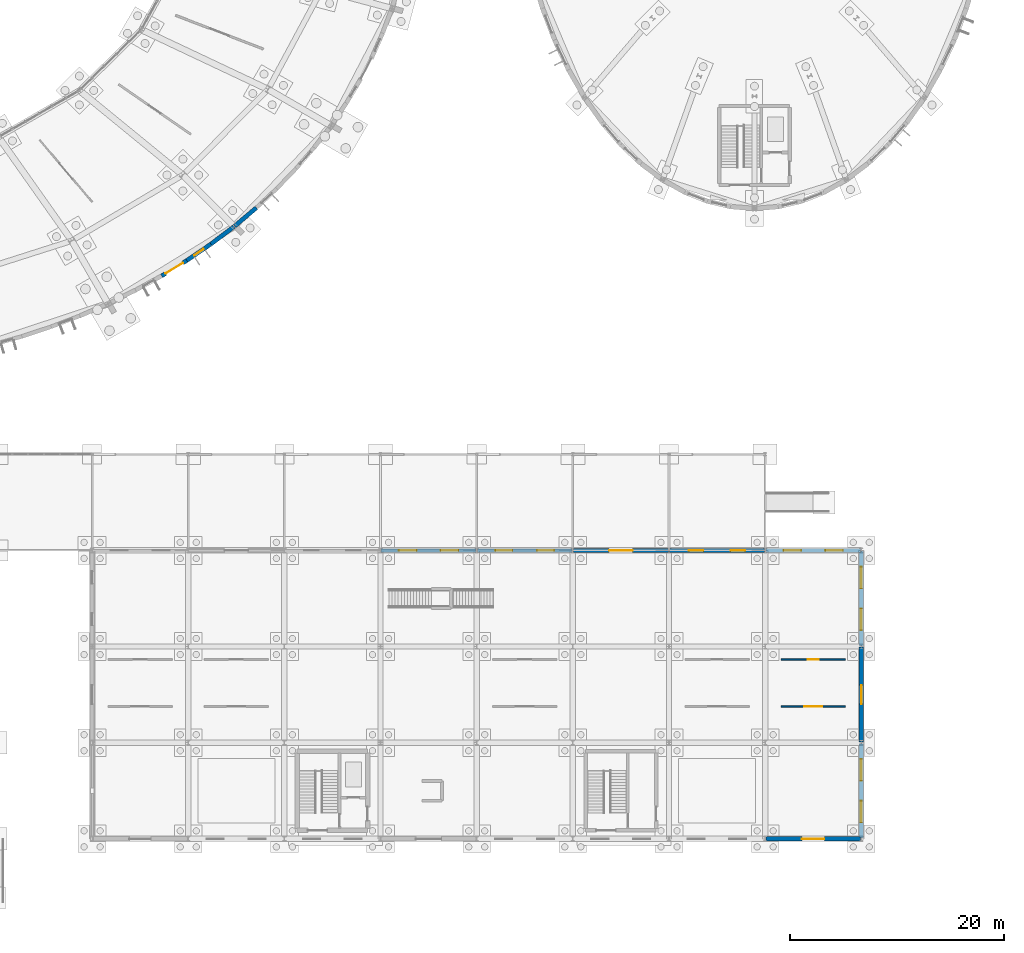
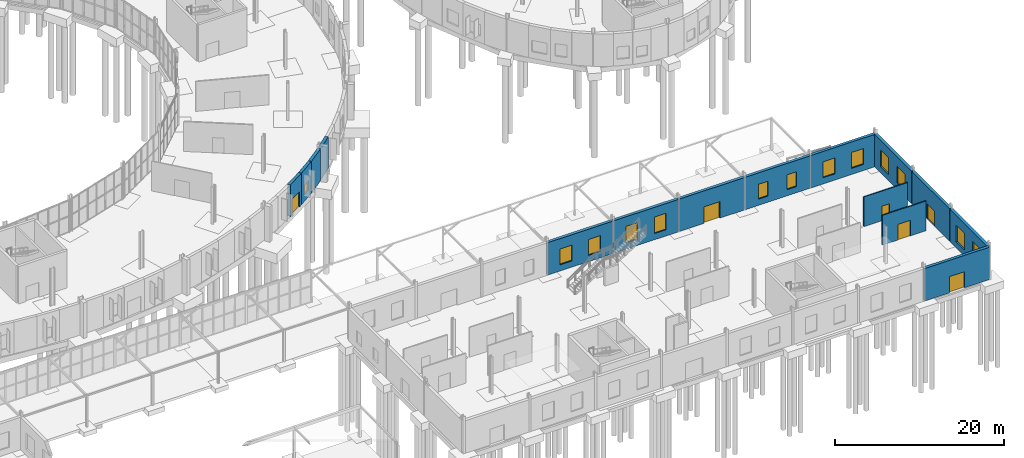
# One storey, part 92 of 118: 15 walls, 13 windows, 6 doors, 19 openings.
"""IFC4 building model written with IfcOpenShell, lengths in metres."""

from ifc_helpers import new_model, si_unit, direction, frame, frame_2d, origin, place, context, subcontext, project, spatial, rectangle, extrude, material, layer, layer_set, type_object, element, fill, save


model = new_model("IFC4")

# Units and contexts
model_context = context("Model", 3, precision=1e-05, world=origin(), true_north=direction((0.0, 1.0)))
body_context = subcontext(model_context, "Body", "Model", "MODEL_VIEW")
ifc_project = project(units=[si_unit("LENGTHUNIT", "METRE"), si_unit("AREAUNIT", "SQUARE_METRE"), si_unit("VOLUMEUNIT", "CUBIC_METRE"), si_unit("PLANEANGLEUNIT", "RADIAN"), si_unit("MASSUNIT", "GRAM", prefix="KILO")], contexts=[model_context])

# Site, building, storey
site_placement = place(None, origin())
site = spatial("IfcSite", under=ifc_project, at=site_placement, CompositionType="ELEMENT")
building_placement = place(site_placement, origin())
building = spatial("IfcBuilding", under=site, at=building_placement, Name="Kildeholm Park Wholesale Market", CompositionType="ELEMENT")
storey_placement = place(building_placement, origin())
storey = spatial("IfcBuildingStorey", under=building, at=storey_placement, Name="L00", CompositionType="ELEMENT", Elevation=0.0)

# Walls
ifc_material_1 = material(Name="Bornholm granite stone plinth and Concrete C35/45 wall", Category="masonry")
ifc_layer_1 = layer(ifc_material_1, 0.39990234375)
ifc_layer_set_1 = layer_set([ifc_layer_1], Name="Bornholm granite stone plinth and Concrete C35/45 wall")
wall_type_1 = type_object("IfcWallType", Name="Exterior wall W-EX2 400 mm", PredefinedType="SOLIDWALL", material=ifc_layer_set_1)
wall_1_placement = place(storey_placement, frame((137.12109375, 55.673095703125, 0.0), z_axis=(0.0, 0.0, 1.0), x_axis=(0.797585068324, 0.603206481054, 0.0)))
element("IfcWall", 1, at=wall_1_placement, inside=storey, type_object=wall_type_1, Name="Produce ring outer wall 21.5 WL-0175", PredefinedType="SOLIDWALL", context=body_context, shape_type="SweptSolid", body=[
    extrude(rectangle(XDim=2.700439453125, YDim=0.39990234375, at=frame_2d((1.35009765625, 0.0))), origin(), (0.0, 0.0, 1.0), 4.60009765625),
])
wall_2_placement = place(storey_placement, frame((139.3369140625, 57.35205078125, 0.0), z_axis=(0.0, 0.0, 1.0), x_axis=(0.76486611794, 0.644189274691, 0.0)))
element("IfcWall", 2, at=wall_2_placement, inside=storey, type_object=wall_type_1, Name="Produce ring outer wall 22.1 WL-0180", PredefinedType="SOLIDWALL", context=body_context, shape_type="SweptSolid", body=[
    extrude(rectangle(XDim=2.66845703125, YDim=0.39990234375, at=frame_2d((1.334228515625, 0.0))), origin(), (0.0, 0.0, 1.0), 4.60009765625),
])

# Wall, opening, door
wall_3_placement = place(storey_placement, frame((189.06005859375, 0.0, 0.0), z_axis=(0.0, 0.0, 1.0), x_axis=(1.0, 0.0, 0.0)))
wall_3 = element("IfcWall", 3, at=wall_3_placement, inside=storey, type_object=wall_type_1, Name="Exterior wall V5E-L00-S08.1 WL-0578", PredefinedType="SOLIDWALL", context=body_context, shape_type="SweptSolid", body=[
    extrude(rectangle(XDim=8.8798828125, YDim=0.39990234375, at=frame_2d((4.43994140625, 0.0))), origin(), (0.0, 0.0, 1.0), 4.699951171875),
])
opening_1_placement = place(wall_3_placement, frame((3.389892578125, 0.0, 0.0)))
opening_1 = element("IfcOpeningElement", 4, at=opening_1_placement, cuts=wall_3, Name="Opening D-EX10", PredefinedType="OPENING", context=body_context, shape_type="SweptSolid", body=[
    extrude(rectangle(XDim=2.10009765625, YDim=2.35009765625, at=frame_2d((1.050048828125, 1.175048828125))), frame((0.0, 0.2099609375, 0.0), z_axis=(0.0, -1.0, 0.0), x_axis=(1.0, 0.0, 0.0)), (0.0, 0.0, 1.0), 0.419921875),
])
ifc_material_2 = material(Name="Anodised aluminium park colonnade door", Category="aluminium")
door_type_1 = type_object("IfcDoorType", Name="Exterior door D-EX10 2100x2350", OperationType="NOTDEFINED", PredefinedType="DOOR", material=ifc_material_2)
door_1_placement = place(opening_1_placement, frame((2.10009765625, 0.0, 0.0), z_axis=(0.0, 0.0, 1.0), x_axis=(-1.0, 0.0, 0.0)))
door_1 = element("IfcDoor", 5, at=door_1_placement, inside=storey, type_object=door_type_1, Name="Door V5E-L00-S08.1 DR-0063 WL-0578", OperationType="DOUBLE_DOOR_SINGLE_SWING", OverallHeight=2.35009765625, OverallWidth=2.10009765625, PredefinedType="DOOR", context=body_context, shape_type="SweptSolid", body=[
    extrude(rectangle(XDim=2.10009765625, YDim=2.35009765625, at=frame_2d((1.050048828125, 1.175048828125))), frame((0.0, 0.02490234375, 0.0), z_axis=(0.0, -1.0, 0.0), x_axis=(1.0, 0.0, 0.0)), (0.0, 0.0, 1.0), 0.050048828125),
])
fill(opening_1, door_1)

# Wall, openings, windows
wall_4_placement = place(storey_placement, frame((153.06005859375, 27.0, 0.0), z_axis=(0.0, 0.0, 1.0), x_axis=(1.0, 0.0, 0.0)))
wall_4 = element("IfcWall", 6, at=wall_4_placement, inside=storey, type_object=wall_type_1, Name="Exterior wall V5E-L00-N.4 WL-0582", PredefinedType="SOLIDWALL", context=body_context, shape_type="SweptSolid", body=[
    extrude(rectangle(XDim=8.8798828125, YDim=0.39990234375, at=frame_2d((4.43994140625, 0.0))), origin(), (0.0, 0.0, 1.0), 4.699951171875),
])
opening_2_placement = place(wall_4_placement, frame((1.660888671875, 0.0, 0.89990234375)))
opening_2 = element("IfcOpeningElement", 7, at=opening_2_placement, cuts=wall_4, Name="Opening WN-34", PredefinedType="OPENING", context=body_context, shape_type="SweptSolid", body=[
    extrude(rectangle(XDim=1.64990234375, YDim=2.300048828125, at=frame_2d((0.824951171875, 1.14990234375))), frame((0.0, 0.2099609375, 0.0), z_axis=(0.0, -1.0, 0.0), x_axis=(1.0, 0.0, 0.0)), (0.0, 0.0, 1.0), 0.419921875),
])
opening_3_placement = place(wall_4_placement, frame((5.569091796875, 0.0, 0.89990234375)))
opening_3 = element("IfcOpeningElement", 8, at=opening_3_placement, cuts=wall_4, Name="Opening WN-34", PredefinedType="OPENING", context=body_context, shape_type="SweptSolid", body=[
    extrude(rectangle(XDim=1.64990234375, YDim=2.300048828125, at=frame_2d((0.824951171875, 1.14990234375))), frame((0.0, 0.2099609375, 0.0), z_axis=(0.0, -1.0, 0.0), x_axis=(1.0, 0.0, 0.0)), (0.0, 0.0, 1.0), 0.419921875),
])
ifc_material_3 = material(Name="Thermally broken aluminium and triple-glazed low-E glass", Category="aluminium")
window_type_1 = type_object("IfcWindowType", Name="Window WN-34 1650x2300", PartitioningType="DOUBLE_PANEL_VERTICAL", PredefinedType="WINDOW", material=ifc_material_3)
window_1_placement = place(opening_2_placement, origin())
window_1 = element("IfcWindow", 9, at=window_1_placement, inside=storey, type_object=window_type_1, Name="Window V5E-L00-N.4.1 WIN-0366", OverallHeight=2.300048828125, OverallWidth=1.64990234375, PartitioningType="SINGLE_PANEL", PredefinedType="WINDOW", context=body_context, shape_type="SweptSolid", body=[
    extrude(rectangle(XDim=1.64990234375, YDim=2.300048828125, at=frame_2d((0.824951171875, 1.14990234375))), frame((0.0, 0.030029296875, 0.0), z_axis=(0.0, -1.0, 0.0), x_axis=(1.0, 0.0, 0.0)), (0.0, 0.0, 1.0), 0.06005859375),
])
fill(opening_2, window_1)
window_2_placement = place(opening_3_placement, origin())
window_2 = element("IfcWindow", 10, at=window_2_placement, inside=storey, type_object=window_type_1, Name="Window V5E-L00-N.4.2 WIN-0367", OverallHeight=2.300048828125, OverallWidth=1.64990234375, PartitioningType="SINGLE_PANEL", PredefinedType="WINDOW", context=body_context, shape_type="SweptSolid", body=[
    extrude(rectangle(XDim=1.64990234375, YDim=2.300048828125, at=frame_2d((0.824951171875, 1.14990234375))), frame((0.0, 0.030029296875, 0.0), z_axis=(0.0, -1.0, 0.0), x_axis=(1.0, 0.0, 0.0)), (0.0, 0.0, 1.0), 0.06005859375),
])
fill(opening_3, window_2)

wall_5_placement = place(storey_placement, frame((162.06005859375, 27.0, 0.0), z_axis=(0.0, 0.0, 1.0), x_axis=(1.0, 0.0, 0.0)))
wall_5 = element("IfcWall", 11, at=wall_5_placement, inside=storey, type_object=wall_type_1, Name="Exterior wall V5E-L00-N.5 WL-0583", PredefinedType="SOLIDWALL", context=body_context, shape_type="SweptSolid", body=[
    extrude(rectangle(XDim=8.8798828125, YDim=0.39990234375, at=frame_2d((4.43994140625, 0.0))), origin(), (0.0, 0.0, 1.0), 4.699951171875),
])
opening_4_placement = place(wall_5_placement, frame((1.68603515625, 0.0, 0.89990234375)))
opening_4 = element("IfcOpeningElement", 12, at=opening_4_placement, cuts=wall_5, Name="Opening WN-15", PredefinedType="OPENING", context=body_context, shape_type="SweptSolid", body=[
    extrude(rectangle(XDim=1.60009765625, YDim=2.39990234375, at=frame_2d((0.800048828125, 1.199951171875))), frame((0.0, 0.2099609375, 0.0), z_axis=(0.0, -1.0, 0.0), x_axis=(1.0, 0.0, 0.0)), (0.0, 0.0, 1.0), 0.419921875),
])
opening_5_placement = place(wall_5_placement, frame((5.593994140625, 0.0, 0.89990234375)))
opening_5 = element("IfcOpeningElement", 13, at=opening_5_placement, cuts=wall_5, Name="Opening WN-15", PredefinedType="OPENING", context=body_context, shape_type="SweptSolid", body=[
    extrude(rectangle(XDim=1.60009765625, YDim=2.39990234375, at=frame_2d((0.800048828125, 1.199951171875))), frame((0.0, 0.2099609375, 0.0), z_axis=(0.0, -1.0, 0.0), x_axis=(1.0, 0.0, 0.0)), (0.0, 0.0, 1.0), 0.419921875),
])
window_type_2 = type_object("IfcWindowType", Name="Window WN-15 1600x2400", PartitioningType="DOUBLE_PANEL_VERTICAL", PredefinedType="WINDOW", material=ifc_material_3)
window_3_placement = place(opening_4_placement, origin())
window_3 = element("IfcWindow", 14, at=window_3_placement, inside=storey, type_object=window_type_2, Name="Window V5E-L00-N.5.1 WIN-0368", OverallHeight=2.39990234375, OverallWidth=1.60009765625, PartitioningType="SINGLE_PANEL", PredefinedType="WINDOW", context=body_context, shape_type="SweptSolid", body=[
    extrude(rectangle(XDim=1.60009765625, YDim=2.39990234375, at=frame_2d((0.800048828125, 1.199951171875))), frame((0.0, 0.030029296875, 0.0), z_axis=(0.0, -1.0, 0.0), x_axis=(1.0, 0.0, 0.0)), (0.0, 0.0, 1.0), 0.06005859375),
])
fill(opening_4, window_3)
window_4_placement = place(opening_5_placement, origin())
window_4 = element("IfcWindow", 15, at=window_4_placement, inside=storey, type_object=window_type_2, Name="Window V5E-L00-N.5.2 WIN-0369", OverallHeight=2.39990234375, OverallWidth=1.60009765625, PartitioningType="SINGLE_PANEL", PredefinedType="WINDOW", context=body_context, shape_type="SweptSolid", body=[
    extrude(rectangle(XDim=1.60009765625, YDim=2.39990234375, at=frame_2d((0.800048828125, 1.199951171875))), frame((0.0, 0.030029296875, 0.0), z_axis=(0.0, -1.0, 0.0), x_axis=(1.0, 0.0, 0.0)), (0.0, 0.0, 1.0), 0.06005859375),
])
fill(opening_5, window_4)

# Wall, opening, door
wall_6_placement = place(storey_placement, frame((171.06005859375, 27.0, 0.0), z_axis=(0.0, 0.0, 1.0), x_axis=(1.0, 0.0, 0.0)))
wall_6 = element("IfcWall", 16, at=wall_6_placement, inside=storey, type_object=wall_type_1, Name="Exterior wall V5E-L00-N.6 WL-0584", PredefinedType="SOLIDWALL", context=body_context, shape_type="SweptSolid", body=[
    extrude(rectangle(XDim=8.8798828125, YDim=0.39990234375, at=frame_2d((4.43994140625, 0.0))), origin(), (0.0, 0.0, 1.0), 4.699951171875),
])
opening_6_placement = place(wall_6_placement, frame((3.340087890625, 0.0, 0.0)))
opening_6 = element("IfcOpeningElement", 17, at=opening_6_placement, cuts=wall_6, Name="Opening D-EX03", PredefinedType="OPENING", context=body_context, shape_type="SweptSolid", body=[
    extrude(rectangle(XDim=2.199951171875, YDim=2.39990234375, at=frame_2d((1.10009765625, 1.199951171875))), frame((0.0, 0.2099609375, 0.0), z_axis=(0.0, -1.0, 0.0), x_axis=(1.0, 0.0, 0.0)), (0.0, 0.0, 1.0), 0.419921875),
])
ifc_material_4 = material(Name="Anodised aluminium and safety glass", Category="aluminium")
door_type_2 = type_object("IfcDoorType", Name="Exterior door D-EX03 2200x2400", OperationType="NOTDEFINED", PredefinedType="DOOR", material=ifc_material_4)
door_2_placement = place(opening_6_placement, origin())
door_2 = element("IfcDoor", 18, at=door_2_placement, inside=storey, type_object=door_type_2, Name="Door V5E-L00-N.6 DR-0065 WL-0584", OperationType="DOUBLE_DOOR_SINGLE_SWING", OverallHeight=2.39990234375, OverallWidth=2.199951171875, PredefinedType="DOOR", context=body_context, shape_type="SweptSolid", body=[
    extrude(rectangle(XDim=2.199951171875, YDim=2.39990234375, at=frame_2d((1.10009765625, 1.199951171875))), frame((0.0, 0.02490234375, 0.0), z_axis=(0.0, -1.0, 0.0), x_axis=(1.0, 0.0, 0.0)), (0.0, 0.0, 1.0), 0.050048828125),
])
fill(opening_6, door_2)

# Wall, openings, windows
wall_7_placement = place(storey_placement, frame((180.06005859375, 27.0, 0.0), z_axis=(0.0, 0.0, 1.0), x_axis=(1.0, 0.0, 0.0)))
wall_7 = element("IfcWall", 19, at=wall_7_placement, inside=storey, type_object=wall_type_1, Name="Exterior wall V5E-L00-N.7 WL-0585", PredefinedType="SOLIDWALL", context=body_context, shape_type="SweptSolid", body=[
    extrude(rectangle(XDim=8.8798828125, YDim=0.39990234375, at=frame_2d((4.43994140625, 0.0))), origin(), (0.0, 0.0, 1.0), 4.699951171875),
])
opening_7_placement = place(wall_7_placement, frame((1.81103515625, 0.0, 0.89990234375)))
opening_7 = element("IfcOpeningElement", 20, at=opening_7_placement, cuts=wall_7, Name="Opening WN-33", PredefinedType="OPENING", context=body_context, shape_type="SweptSolid", body=[
    extrude(rectangle(XDim=1.35009765625, YDim=2.14990234375, at=frame_2d((0.675048828125, 1.074951171875))), frame((0.0, 0.2099609375, 0.0), z_axis=(0.0, -1.0, 0.0), x_axis=(1.0, 0.0, 0.0)), (0.0, 0.0, 1.0), 0.419921875),
])
opening_8_placement = place(wall_7_placement, frame((5.718994140625, 0.0, 0.89990234375)))
opening_8 = element("IfcOpeningElement", 21, at=opening_8_placement, cuts=wall_7, Name="Opening WN-33", PredefinedType="OPENING", context=body_context, shape_type="SweptSolid", body=[
    extrude(rectangle(XDim=1.35009765625, YDim=2.14990234375, at=frame_2d((0.675048828125, 1.074951171875))), frame((0.0, 0.2099609375, 0.0), z_axis=(0.0, -1.0, 0.0), x_axis=(1.0, 0.0, 0.0)), (0.0, 0.0, 1.0), 0.419921875),
])
window_type_3 = type_object("IfcWindowType", Name="Window WN-33 1350x2150", PartitioningType="DOUBLE_PANEL_VERTICAL", PredefinedType="WINDOW", material=ifc_material_3)
window_5_placement = place(opening_7_placement, origin())
window_5 = element("IfcWindow", 22, at=window_5_placement, inside=storey, type_object=window_type_3, Name="Window V5E-L00-N.7.1 WIN-0370", OverallHeight=2.14990234375, OverallWidth=1.35009765625, PartitioningType="SINGLE_PANEL", PredefinedType="WINDOW", context=body_context, shape_type="SweptSolid", body=[
    extrude(rectangle(XDim=1.35009765625, YDim=2.14990234375, at=frame_2d((0.675048828125, 1.074951171875))), frame((0.0, 0.030029296875, 0.0), z_axis=(0.0, -1.0, 0.0), x_axis=(1.0, 0.0, 0.0)), (0.0, 0.0, 1.0), 0.06005859375),
])
fill(opening_7, window_5)
window_6_placement = place(opening_8_placement, origin())
window_6 = element("IfcWindow", 23, at=window_6_placement, inside=storey, type_object=window_type_3, Name="Window V5E-L00-N.7.2 WIN-0371", OverallHeight=2.14990234375, OverallWidth=1.35009765625, PartitioningType="SINGLE_PANEL", PredefinedType="WINDOW", context=body_context, shape_type="SweptSolid", body=[
    extrude(rectangle(XDim=1.35009765625, YDim=2.14990234375, at=frame_2d((0.675048828125, 1.074951171875))), frame((0.0, 0.030029296875, 0.0), z_axis=(0.0, -1.0, 0.0), x_axis=(1.0, 0.0, 0.0)), (0.0, 0.0, 1.0), 0.06005859375),
])
fill(opening_8, window_6)

wall_8_placement = place(storey_placement, frame((189.06005859375, 27.0, 0.0), z_axis=(0.0, 0.0, 1.0), x_axis=(1.0, 0.0, 0.0)))
wall_8 = element("IfcWall", 24, at=wall_8_placement, inside=storey, type_object=wall_type_1, Name="Exterior wall V5E-L00-N.8 WL-0586", PredefinedType="SOLIDWALL", context=body_context, shape_type="SweptSolid", body=[
    extrude(rectangle(XDim=8.8798828125, YDim=0.39990234375, at=frame_2d((4.43994140625, 0.0))), origin(), (0.0, 0.0, 1.0), 4.699951171875),
])
opening_9_placement = place(wall_8_placement, frame((1.660888671875, 0.0, 0.89990234375)))
opening_9 = element("IfcOpeningElement", 25, at=opening_9_placement, cuts=wall_8, Name="Opening WN-34", PredefinedType="OPENING", context=body_context, shape_type="SweptSolid", body=[
    extrude(rectangle(XDim=1.64990234375, YDim=2.300048828125, at=frame_2d((0.824951171875, 1.14990234375))), frame((0.0, 0.2099609375, 0.0), z_axis=(0.0, -1.0, 0.0), x_axis=(1.0, 0.0, 0.0)), (0.0, 0.0, 1.0), 0.419921875),
])
opening_10_placement = place(wall_8_placement, frame((5.569091796875, 0.0, 0.89990234375)))
opening_10 = element("IfcOpeningElement", 26, at=opening_10_placement, cuts=wall_8, Name="Opening WN-34", PredefinedType="OPENING", context=body_context, shape_type="SweptSolid", body=[
    extrude(rectangle(XDim=1.64990234375, YDim=2.300048828125, at=frame_2d((0.824951171875, 1.14990234375))), frame((0.0, 0.2099609375, 0.0), z_axis=(0.0, -1.0, 0.0), x_axis=(1.0, 0.0, 0.0)), (0.0, 0.0, 1.0), 0.419921875),
])
window_7_placement = place(opening_9_placement, origin())
window_7 = element("IfcWindow", 27, at=window_7_placement, inside=storey, type_object=window_type_1, Name="Window V5E-L00-N.8.1 WIN-0372", OverallHeight=2.300048828125, OverallWidth=1.64990234375, PartitioningType="SINGLE_PANEL", PredefinedType="WINDOW", context=body_context, shape_type="SweptSolid", body=[
    extrude(rectangle(XDim=1.64990234375, YDim=2.300048828125, at=frame_2d((0.824951171875, 1.14990234375))), frame((0.0, 0.030029296875, 0.0), z_axis=(0.0, -1.0, 0.0), x_axis=(1.0, 0.0, 0.0)), (0.0, 0.0, 1.0), 0.06005859375),
])
fill(opening_9, window_7)
window_8_placement = place(opening_10_placement, origin())
window_8 = element("IfcWindow", 28, at=window_8_placement, inside=storey, type_object=window_type_1, Name="Window V5E-L00-N.8.2 WIN-0373", OverallHeight=2.300048828125, OverallWidth=1.64990234375, PartitioningType="SINGLE_PANEL", PredefinedType="WINDOW", context=body_context, shape_type="SweptSolid", body=[
    extrude(rectangle(XDim=1.64990234375, YDim=2.300048828125, at=frame_2d((0.824951171875, 1.14990234375))), frame((0.0, 0.030029296875, 0.0), z_axis=(0.0, -1.0, 0.0), x_axis=(1.0, 0.0, 0.0)), (0.0, 0.0, 1.0), 0.06005859375),
])
fill(opening_10, window_8)

wall_9_placement = place(storey_placement, frame((198.0, 0.06005859375, 0.0), z_axis=(0.0, 0.0, 1.0), x_axis=(0.0, 1.0, 0.0)))
wall_9 = element("IfcWall", 29, at=wall_9_placement, inside=storey, type_object=wall_type_1, Name="Exterior wall V5E-L00-E.1 WL-0590", PredefinedType="SOLIDWALL", context=body_context, shape_type="SweptSolid", body=[
    extrude(rectangle(XDim=8.8798828125, YDim=0.39990234375, at=frame_2d((4.43994140625, 0.0))), origin(), (0.0, 0.0, 1.0), 4.699951171875),
])
opening_11_placement = place(wall_9_placement, frame((1.486083984375, 0.0, 0.89990234375)))
opening_11 = element("IfcOpeningElement", 30, at=opening_11_placement, cuts=wall_9, Name="Opening WN-16", PredefinedType="OPENING", context=body_context, shape_type="SweptSolid", body=[
    extrude(rectangle(XDim=2.0, YDim=2.39990234375, at=frame_2d((1.0, 1.199951171875))), frame((0.0, 0.2099609375, 0.0), z_axis=(0.0, -1.0, 0.0), x_axis=(1.0, 0.0, 0.0)), (0.0, 0.0, 1.0), 0.419921875),
])
opening_12_placement = place(wall_9_placement, frame((5.39404296875, 0.0, 0.89990234375)))
opening_12 = element("IfcOpeningElement", 31, at=opening_12_placement, cuts=wall_9, Name="Opening WN-16", PredefinedType="OPENING", context=body_context, shape_type="SweptSolid", body=[
    extrude(rectangle(XDim=2.0, YDim=2.39990234375, at=frame_2d((1.0, 1.199951171875))), frame((0.0, 0.2099609375, 0.0), z_axis=(0.0, -1.0, 0.0), x_axis=(1.0, 0.0, 0.0)), (0.0, 0.0, 1.0), 0.419921875),
])
window_type_4 = type_object("IfcWindowType", Name="Window WN-16 2000x2400", PartitioningType="TRIPLE_PANEL_VERTICAL", PredefinedType="WINDOW", material=ifc_material_3)
window_9_placement = place(opening_11_placement, origin())
window_9 = element("IfcWindow", 32, at=window_9_placement, inside=storey, type_object=window_type_4, Name="Window V5E-L00-E.1.1 WIN-0376", OverallHeight=2.39990234375, OverallWidth=2.0, PartitioningType="SINGLE_PANEL", PredefinedType="WINDOW", context=body_context, shape_type="SweptSolid", body=[
    extrude(rectangle(XDim=2.0, YDim=2.39990234375, at=frame_2d((1.0, 1.199951171875))), frame((0.0, 0.030029296875, 0.0), z_axis=(0.0, -1.0, 0.0), x_axis=(1.0, 0.0, 0.0)), (0.0, 0.0, 1.0), 0.06005859375),
])
fill(opening_11, window_9)
window_10_placement = place(opening_12_placement, origin())
window_10 = element("IfcWindow", 33, at=window_10_placement, inside=storey, type_object=window_type_4, Name="Window V5E-L00-E.1.2 WIN-0377", OverallHeight=2.39990234375, OverallWidth=2.0, PartitioningType="SINGLE_PANEL", PredefinedType="WINDOW", context=body_context, shape_type="SweptSolid", body=[
    extrude(rectangle(XDim=2.0, YDim=2.39990234375, at=frame_2d((1.0, 1.199951171875))), frame((0.0, 0.030029296875, 0.0), z_axis=(0.0, -1.0, 0.0), x_axis=(1.0, 0.0, 0.0)), (0.0, 0.0, 1.0), 0.06005859375),
])
fill(opening_12, window_10)

# Wall, opening, door
wall_10_placement = place(storey_placement, frame((198.0, 9.06005859375, 0.0), z_axis=(0.0, 0.0, 1.0), x_axis=(0.0, 1.0, 0.0)))
wall_10 = element("IfcWall", 34, at=wall_10_placement, inside=storey, type_object=wall_type_1, Name="Exterior wall V5E-L00-E.2 WL-0591", PredefinedType="SOLIDWALL", context=body_context, shape_type="SweptSolid", body=[
    extrude(rectangle(XDim=8.8798828125, YDim=0.39990234375, at=frame_2d((4.43994140625, 0.0))), origin(), (0.0, 0.0, 1.0), 4.699951171875),
])
opening_13_placement = place(wall_10_placement, frame((3.5400390625, 0.0, 0.0)))
opening_13 = element("IfcOpeningElement", 35, at=opening_13_placement, cuts=wall_10, Name="Opening D-EX01", PredefinedType="OPENING", context=body_context, shape_type="SweptSolid", body=[
    extrude(rectangle(XDim=1.800048828125, YDim=2.199951171875, at=frame_2d((0.89990234375, 1.10009765625))), frame((0.0, 0.2099609375, 0.0), z_axis=(0.0, -1.0, 0.0), x_axis=(1.0, 0.0, 0.0)), (0.0, 0.0, 1.0), 0.419921875),
])
door_type_3 = type_object("IfcDoorType", Name="Exterior door D-EX01 1800x2200", OperationType="NOTDEFINED", PredefinedType="DOOR", material=ifc_material_4)
door_3_placement = place(opening_13_placement, frame((1.800048828125, 0.0, 0.0), z_axis=(0.0, 0.0, 1.0), x_axis=(-1.0, 0.0, 0.0)))
door_3 = element("IfcDoor", 36, at=door_3_placement, inside=storey, type_object=door_type_3, Name="Door V5E-L00-E.2 DR-0067 WL-0591", OperationType="DOUBLE_DOOR_SINGLE_SWING", OverallHeight=2.199951171875, OverallWidth=1.800048828125, PredefinedType="DOOR", context=body_context, shape_type="SweptSolid", body=[
    extrude(rectangle(XDim=1.800048828125, YDim=2.199951171875, at=frame_2d((0.89990234375, 1.10009765625))), frame((0.0, 0.02490234375, 0.0), z_axis=(0.0, -1.0, 0.0), x_axis=(1.0, 0.0, 0.0)), (0.0, 0.0, 1.0), 0.050048828125),
])
fill(opening_13, door_3)

# Wall, openings, windows
wall_11_placement = place(storey_placement, frame((198.0, 18.06005859375, 0.0), z_axis=(0.0, 0.0, 1.0), x_axis=(0.0, 1.0, 0.0)))
wall_11 = element("IfcWall", 37, at=wall_11_placement, inside=storey, type_object=wall_type_1, Name="Exterior wall V5E-L00-E.3 WL-0592", PredefinedType="SOLIDWALL", context=body_context, shape_type="SweptSolid", body=[
    extrude(rectangle(XDim=8.8798828125, YDim=0.39990234375, at=frame_2d((4.43994140625, 0.0))), origin(), (0.0, 0.0, 1.0), 4.699951171875),
])
opening_14_placement = place(wall_11_placement, frame((1.486083984375, 0.0, 0.89990234375)))
opening_14 = element("IfcOpeningElement", 38, at=opening_14_placement, cuts=wall_11, Name="Opening WN-16", PredefinedType="OPENING", context=body_context, shape_type="SweptSolid", body=[
    extrude(rectangle(XDim=2.0, YDim=2.39990234375, at=frame_2d((1.0, 1.199951171875))), frame((0.0, 0.2099609375, 0.0), z_axis=(0.0, -1.0, 0.0), x_axis=(1.0, 0.0, 0.0)), (0.0, 0.0, 1.0), 0.419921875),
])
opening_15_placement = place(wall_11_placement, frame((5.39404296875, 0.0, 0.89990234375)))
opening_15 = element("IfcOpeningElement", 39, at=opening_15_placement, cuts=wall_11, Name="Opening WN-16", PredefinedType="OPENING", context=body_context, shape_type="SweptSolid", body=[
    extrude(rectangle(XDim=2.0, YDim=2.39990234375, at=frame_2d((1.0, 1.199951171875))), frame((0.0, 0.2099609375, 0.0), z_axis=(0.0, -1.0, 0.0), x_axis=(1.0, 0.0, 0.0)), (0.0, 0.0, 1.0), 0.419921875),
])
window_11_placement = place(opening_14_placement, origin())
window_11 = element("IfcWindow", 40, at=window_11_placement, inside=storey, type_object=window_type_4, Name="Window V5E-L00-E.3.1 WIN-0378", OverallHeight=2.39990234375, OverallWidth=2.0, PartitioningType="SINGLE_PANEL", PredefinedType="WINDOW", context=body_context, shape_type="SweptSolid", body=[
    extrude(rectangle(XDim=2.0, YDim=2.39990234375, at=frame_2d((1.0, 1.199951171875))), frame((0.0, 0.030029296875, 0.0), z_axis=(0.0, -1.0, 0.0), x_axis=(1.0, 0.0, 0.0)), (0.0, 0.0, 1.0), 0.06005859375),
])
fill(opening_14, window_11)
window_12_placement = place(opening_15_placement, origin())
window_12 = element("IfcWindow", 41, at=window_12_placement, inside=storey, type_object=window_type_4, Name="Window V5E-L00-E.3.2 WIN-0379", OverallHeight=2.39990234375, OverallWidth=2.0, PartitioningType="SINGLE_PANEL", PredefinedType="WINDOW", context=body_context, shape_type="SweptSolid", body=[
    extrude(rectangle(XDim=2.0, YDim=2.39990234375, at=frame_2d((1.0, 1.199951171875))), frame((0.0, 0.030029296875, 0.0), z_axis=(0.0, -1.0, 0.0), x_axis=(1.0, 0.0, 0.0)), (0.0, 0.0, 1.0), 0.06005859375),
])
fill(opening_15, window_12)

# Wall, opening, door
ifc_material_5 = material(Name="Bornholm granite and ceramic-banded hall facade wall", Category="masonry")
ifc_layer_2 = layer(ifc_material_5, 0.389892578125)
ifc_layer_set_2 = layer_set([ifc_layer_2], Name="Bornholm granite and ceramic-banded hall facade wall")
wall_type_2 = type_object("IfcWallType", Name="Exterior wall W-EX5 390 mm", PredefinedType="SOLIDWALL", material=ifc_layer_set_2)
wall_12_placement = place(storey_placement, frame((132.510986328125, 52.694091796875, 0.0), z_axis=(0.0, 0.0, 1.0), x_axis=(0.852743581926, 0.522329765075, 0.0)))
wall_12 = element("IfcWall", 42, at=wall_12_placement, inside=storey, type_object=wall_type_2, Name="Produce ring outer wall 21.3 WL-0173", PredefinedType="SOLIDWALL", context=body_context, shape_type="SweptSolid", body=[
    extrude(rectangle(XDim=2.760498046875, YDim=0.389892578125, at=frame_2d((1.38037109375, 0.0))), origin(), (0.0, 0.0, 1.0), 4.60009765625),
])
opening_16_placement = place(wall_12_placement, frame((0.429931640625, 0.0, 0.0)))
opening_16 = element("IfcOpeningElement", 43, at=opening_16_placement, cuts=wall_12, Name="Opening D-EX09", PredefinedType="OPENING", context=body_context, shape_type="SweptSolid", body=[
    extrude(rectangle(XDim=1.89990234375, YDim=2.25, at=frame_2d((0.949951171875, 1.125))), frame((0.0, 0.204833984375, 0.0), z_axis=(0.0, -1.0, 0.0), x_axis=(1.0, 0.0, 0.0)), (0.0, 0.0, 1.0), 0.409912109375),
])
ifc_material_6 = material(Name="Anodised aluminium hall double entrance", Category="aluminium")
door_type_4 = type_object("IfcDoorType", Name="Exterior door D-EX09 1900x2250", OperationType="NOTDEFINED", PredefinedType="DOOR", material=ifc_material_6)
door_4_placement = place(opening_16_placement, frame((1.89990234375, 0.0, 0.0), z_axis=(0.0, 0.0, 1.0), x_axis=(-1.0, 0.0, 0.0)))
door_4 = element("IfcDoor", 44, at=door_4_placement, inside=storey, type_object=door_type_4, Name="Produce hall public exit 21 DR-0009 WL-0173", OperationType="DOUBLE_DOOR_SINGLE_SWING", OverallHeight=2.25, OverallWidth=1.89990234375, PredefinedType="DOOR", context=body_context, shape_type="SweptSolid", body=[
    extrude(rectangle(XDim=1.89990234375, YDim=2.25, at=frame_2d((0.949951171875, 1.125))), frame((0.0, 0.02490234375, 0.0), z_axis=(0.0, -1.0, 0.0), x_axis=(1.0, 0.0, 0.0)), (0.0, 0.0, 1.0), 0.050048828125),
])
fill(opening_16, door_4)

# Wall, opening, window
wall_13_placement = place(storey_placement, frame((134.864990234375, 54.135986328125, 0.0), z_axis=(0.0, 0.0, 1.0), x_axis=(0.826422172457, 0.563050968271, 0.0)))
wall_13 = element("IfcWall", 45, at=wall_13_placement, inside=storey, type_object=wall_type_2, Name="Produce ring outer wall 21.4 WL-0174", PredefinedType="SOLIDWALL", context=body_context, shape_type="SweptSolid", body=[
    extrude(rectangle(XDim=2.72998046875, YDim=0.389892578125, at=frame_2d((1.364990234375, 0.0))), origin(), (0.0, 0.0, 1.0), 4.60009765625),
])
opening_17_placement = place(wall_13_placement, frame((0.840087890625, 0.0, 0.949951171875)))
opening_17 = element("IfcOpeningElement", 46, at=opening_17_placement, cuts=wall_13, Name="Opening WN-26", PredefinedType="OPENING", context=body_context, shape_type="SweptSolid", body=[
    extrude(rectangle(XDim=1.050048828125, YDim=1.35009765625, at=frame_2d((0.52490234375, 0.675048828125))), frame((0.0, 0.204833984375, 0.0), z_axis=(0.0, -1.0, 0.0), x_axis=(1.0, 0.0, 0.0)), (0.0, 0.0, 1.0), 0.409912109375),
])
window_type_5 = type_object("IfcWindowType", Name="Window WN-26 1050x1350", PartitioningType="SINGLE_PANEL", PredefinedType="WINDOW", material=ifc_material_3)
window_13_placement = place(opening_17_placement, origin())
window_13 = element("IfcWindow", 47, at=window_13_placement, inside=storey, type_object=window_type_5, Name="Produce hall arcade window 21.3 WIN-0038", OverallHeight=1.35009765625, OverallWidth=1.050048828125, PartitioningType="SINGLE_PANEL", PredefinedType="WINDOW", context=body_context, shape_type="SweptSolid", body=[
    extrude(rectangle(XDim=1.050048828125, YDim=1.35009765625, at=frame_2d((0.52490234375, 0.675048828125))), frame((0.0, 0.030029296875, 0.0), z_axis=(0.0, -1.0, 0.0), x_axis=(1.0, 0.0, 0.0)), (0.0, 0.0, 1.0), 0.06005859375),
])
fill(opening_17, window_13)

# Wall, opening, door
ifc_material_7 = material(Name="Double-board acoustic laboratory partition")
ifc_layer_3 = layer(ifc_material_7, 0.139892578125)
ifc_layer_set_3 = layer_set([ifc_layer_3], Name="Double-board acoustic laboratory partition")
wall_type_3 = type_object("IfcWallType", Name="Partition W-PT03 140 mm", PredefinedType="PARTITIONING", material=ifc_layer_set_3)
wall_14_placement = place(storey_placement, frame((190.5, 16.800048828125, 0.0), z_axis=(0.0, 0.0, 1.0), x_axis=(1.0, 0.0, 0.0)))
wall_14 = element("IfcWall", 48, at=wall_14_placement, inside=storey, type_object=wall_type_3, Name="Interior partition W-V5E-L00-CN8 WL-1035", PredefinedType="PARTITIONING", context=body_context, shape_type="SweptSolid", body=[
    extrude(rectangle(XDim=6.0, YDim=0.139892578125, at=frame_2d((3.0, 0.0))), origin(), (0.0, 0.0, 1.0), 4.300048828125),
])
opening_18_placement = place(wall_14_placement, frame((2.5, 0.0, 0.0)))
opening_18 = element("IfcOpeningElement", 49, at=opening_18_placement, cuts=wall_14, Name="Opening D-IN02", PredefinedType="OPENING", context=body_context, shape_type="SweptSolid", body=[
    extrude(rectangle(XDim=1.0, YDim=2.10009765625, at=frame_2d((0.5, 1.050048828125))), frame((0.0, 0.079833984375, 0.0), z_axis=(0.0, -1.0, 0.0), x_axis=(1.0, 0.0, 0.0)), (0.0, 0.0, 1.0), 0.159912109375),
])
ifc_material_8 = material(Name="Hygienic laminate accessible WC doorset")
door_type_5 = type_object("IfcDoorType", Name="Interior door D-IN02 1000x2100", OperationType="NOTDEFINED", PredefinedType="DOOR", material=ifc_material_8)
door_5_placement = place(opening_18_placement, origin())
door_5 = element("IfcDoor", 50, at=door_5_placement, inside=storey, type_object=door_type_5, Name="Interior door V5E-L00-CN8 DR-0310 WL-1035", OperationType="SINGLE_SWING_RIGHT", OverallHeight=2.10009765625, OverallWidth=1.0, PredefinedType="DOOR", context=body_context, shape_type="SweptSolid", body=[
    extrude(rectangle(XDim=1.0, YDim=2.10009765625, at=frame_2d((0.5, 1.050048828125))), frame((0.0, 0.02490234375, 0.0), z_axis=(0.0, -1.0, 0.0), x_axis=(1.0, 0.0, 0.0)), (0.0, 0.0, 1.0), 0.050048828125),
])
fill(opening_18, door_5)

ifc_material_9 = material(Name="Fire-rated corridor and lobby partition")
ifc_layer_4 = layer(ifc_material_9, 0.14990234375)
ifc_layer_set_4 = layer_set([ifc_layer_4], Name="Fire-rated corridor and lobby partition")
wall_type_4 = type_object("IfcWallType", Name="Partition W-PT04 150 mm", PredefinedType="PARTITIONING", material=ifc_layer_set_4)
wall_15_placement = place(storey_placement, frame((190.5, 12.39990234375, 0.0), z_axis=(0.0, 0.0, 1.0), x_axis=(1.0, 0.0, 0.0)))
wall_15 = element("IfcWall", 51, at=wall_15_placement, inside=storey, type_object=wall_type_4, Name="Interior partition W-V5E-L00-CS8 WL-1034", PredefinedType="PARTITIONING", context=body_context, shape_type="SweptSolid", body=[
    extrude(rectangle(XDim=6.0, YDim=0.14990234375, at=frame_2d((3.0, 0.0))), origin(), (0.0, 0.0, 1.0), 4.300048828125),
])
opening_19_placement = place(wall_15_placement, frame((2.175048828125, 0.0, 0.0)))
opening_19 = element("IfcOpeningElement", 52, at=opening_19_placement, cuts=wall_15, Name="Opening D-IN06", PredefinedType="OPENING", context=body_context, shape_type="SweptSolid", body=[
    extrude(rectangle(XDim=1.64990234375, YDim=2.25, at=frame_2d((0.824951171875, 1.125))), frame((0.0, 0.0849609375, 0.0), z_axis=(0.0, -1.0, 0.0), x_axis=(1.0, 0.0, 0.0)), (0.0, 0.0, 1.0), 0.169921875),
])
ifc_material_10 = material(Name="Double-leaf auction and community hall doorset")
door_type_6 = type_object("IfcDoorType", Name="Interior door D-IN06 1650x2250", OperationType="NOTDEFINED", PredefinedType="DOOR", material=ifc_material_10)
door_6_placement = place(opening_19_placement, origin())
door_6 = element("IfcDoor", 53, at=door_6_placement, inside=storey, type_object=door_type_6, Name="Interior door V5E-L00-CS8 DR-0309 WL-1034", OperationType="DOUBLE_DOOR_SINGLE_SWING", OverallHeight=2.25, OverallWidth=1.64990234375, PredefinedType="DOOR", context=body_context, shape_type="SweptSolid", body=[
    extrude(rectangle(XDim=1.64990234375, YDim=2.25, at=frame_2d((0.824951171875, 1.125))), frame((0.0, 0.02490234375, 0.0), z_axis=(0.0, -1.0, 0.0), x_axis=(1.0, 0.0, 0.0)), (0.0, 0.0, 1.0), 0.050048828125),
])
fill(opening_19, door_6)

save(model, "model.ifc")
